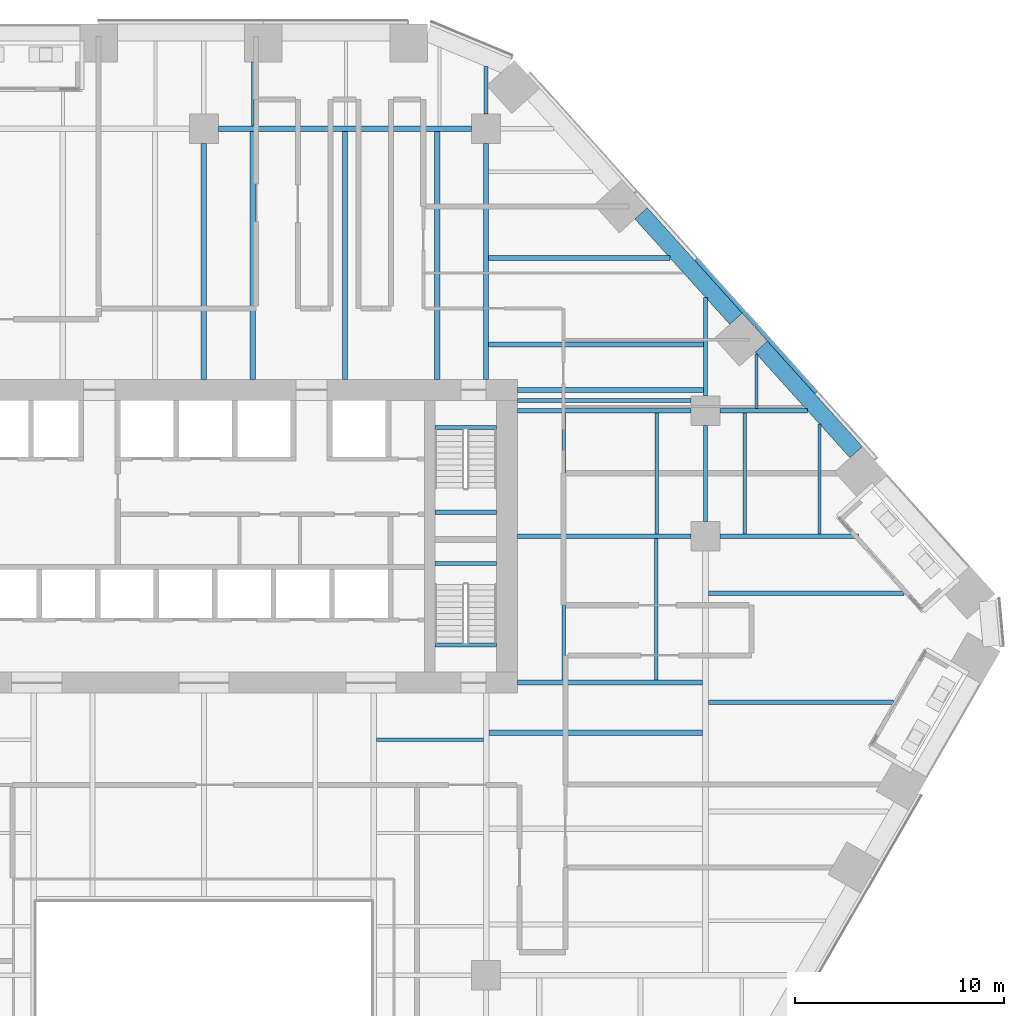
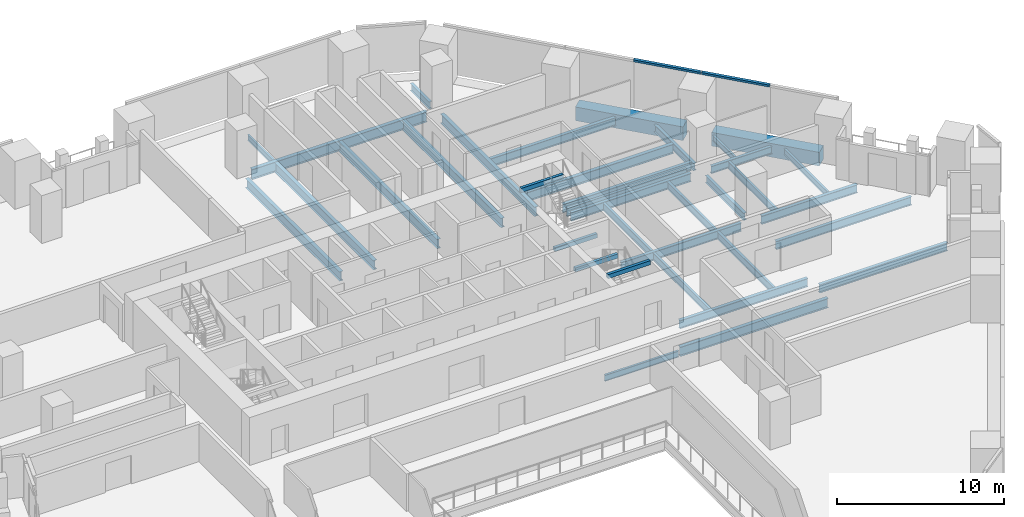
# One storey, part 11 of 31: 36 beams, 2 members, 1 element without a shape of its own.
"""IFC4 building model written with IfcOpenShell, lengths in metres."""

from ifc_helpers import new_model, si_unit, direction, frame, origin, origin_2d, place, context, subcontext, project, spatial, rectangle, i_section, extrude, material, layer, layer_set, material_profile, profile_set, type_object, element, aggregate, save


model = new_model("IFC4")

# Units and contexts
model_context = context("Model", 3, precision=1e-05, world=origin(), true_north=direction((0.0, 1.0)))
body_context = subcontext(model_context, "Body", "Model", "MODEL_VIEW")
ifc_project = project(units=[si_unit("LENGTHUNIT", "METRE"), si_unit("AREAUNIT", "SQUARE_METRE"), si_unit("VOLUMEUNIT", "CUBIC_METRE"), si_unit("PLANEANGLEUNIT", "RADIAN"), si_unit("MASSUNIT", "GRAM", prefix="KILO")], contexts=[model_context])

# Site, building, storey
site_placement = place(None, origin())
site = spatial("IfcSite", under=ifc_project, at=site_placement, CompositionType="ELEMENT")
building_placement = place(site_placement, origin())
building = spatial("IfcBuilding", under=site, at=building_placement, Name="Isthmus Gate Tower", CompositionType="ELEMENT")
storey_placement = place(building_placement, frame((0.0, 0.0, 54.25)))
storey = spatial("IfcBuildingStorey", under=building, at=storey_placement, Name="L11", CompositionType="ELEMENT", Elevation=54.25)

# Curtain wall, members
ifc_material_1 = material(Name="Aluminium, pale champagne anodised", Category="aluminium")
ifc_layer = layer(ifc_material_1, 0.199951171875)
ifc_layer_set = layer_set([ifc_layer], Name="CW-1 UNITISED CURTAIN WALL 200 DEEP")
curtain_wall_type = type_object("IfcCurtainWallType", Name="CW-1 UNITISED CURTAIN WALL 200 DEEP", PredefinedType="NOTDEFINED", material=ifc_layer_set)
curtain_wall_placement = place(storey_placement, origin())
curtain_wall = element("IfcCurtainWall", 1, at=curtain_wall_placement, inside=storey, type_object=curtain_wall_type, Name="CW-1 NE L11", PredefinedType="NOTDEFINED")
ifc_material_2 = material(Name="Aluminium, pale champagne anodised", Category="aluminium")
ifc_material_profile_1 = material_profile(ifc_material_2, rectangle(XDim=0.199951171875, YDim=0.14990234375, at=origin_2d()), Name="200x150")
ifc_profile_set_1 = profile_set([ifc_material_profile_1], Name="Aluminium, pale champagne anodised")
member_type = type_object("IfcMemberType", Name="CW-1 TRANSOM 200 X 150", PredefinedType="USERDEFINED", material=ifc_profile_set_1)
member_1_placement = place(storey_placement, frame((29.307861328125, 14.3779296875, 3.574951171875), z_axis=(-0.6690997736, 0.74317258626, 0.0), x_axis=(-0.74317258626, -0.6690997736, 0.0)))
member_1 = element("IfcMember", 2, at=member_1_placement, type_object=member_type, Name="CW-1 transom", ObjectType="TRANSOM", PredefinedType="USERDEFINED", context=body_context, shape_type="SweptSolid", body=[
    extrude(rectangle(XDim=0.199951171875, YDim=0.14990234375, at=origin_2d()), origin(), (0.0, 0.0, 1.0), 4.294677734375),
])
member_2_placement = place(storey_placement, frame((26.39404296875, 17.614013671875, 3.574951171875), z_axis=(-0.669123979474, 0.743150792298, 0.0), x_axis=(-0.743150792298, -0.669123979474, 0.0)))
member_2 = element("IfcMember", 3, at=member_2_placement, type_object=member_type, Name="CW-1 transom", ObjectType="TRANSOM", PredefinedType="USERDEFINED", context=body_context, shape_type="SweptSolid", body=[
    extrude(rectangle(XDim=0.199951171875, YDim=0.14990234375, at=origin_2d()), origin(), (0.0, 0.0, 1.0), 4.234619140625),
])
aggregate(curtain_wall, [member_1, member_2])

# Beams
ifc_material_3 = material(Name="Concrete f'c 70 MPa", Category="concrete")
ifc_material_profile_2 = material_profile(ifc_material_3, rectangle(XDim=0.800048828125, YDim=1.0, at=origin_2d()), Name="RC 800X1000")
ifc_profile_set_2 = profile_set([ifc_material_profile_2], Name="Concrete f'c 70 MPa")
beam_type_1 = type_object("IfcBeamType", Name="RC SPANDREL 800 X 1000", PredefinedType="SPANDREL", material=ifc_profile_set_2)
beam_1_placement = place(storey_placement, frame((20.91748046875, 22.94921875, -0.5), z_axis=(0.669135571547, -0.743140354772, 0.0), x_axis=(0.743140354772, 0.669135571547, 0.0)))
element("IfcBeam", 4, at=beam_1_placement, inside=storey, type_object=beam_type_1, Name="str-spandrel-L11-02", PredefinedType="SPANDREL", context=body_context, shape_type="SweptSolid", body=[
    extrude(rectangle(XDim=0.800048828125, YDim=1.0, at=origin_2d()), origin(), (0.0, 0.0, 1.0), 6.789306640625),
])
beam_2_placement = place(storey_placement, frame((26.664794921875, 16.566162109375, -0.5), z_axis=(0.669117690519, -0.743156454748, 0.0), x_axis=(0.743156454748, 0.669117690519, 0.0)))
element("IfcBeam", 5, at=beam_2_placement, inside=storey, type_object=beam_type_1, Name="str-spandrel-L11-03", PredefinedType="SPANDREL", context=body_context, shape_type="SweptSolid", body=[
    extrude(rectangle(XDim=0.800048828125, YDim=1.0, at=origin_2d()), origin(), (0.0, 0.0, 1.0), 6.78955078125),
])
ifc_material_4 = material(Name="Concrete f'c 40 MPa", Category="concrete")
ifc_material_profile_3 = material_profile(ifc_material_4, rectangle(XDim=0.199951171875, YDim=0.300048828125, at=origin_2d()), Name="STAIR LANDING BEAM RC 200 X 300")
ifc_profile_set_3 = profile_set([ifc_material_profile_3], Name="Concrete f'c 40 MPa")
beam_type_2 = type_object("IfcBeamType", Name="STAIR LANDING BEAM RC 200 X 300", PredefinedType="BEAM", material=ifc_profile_set_3)
for number, where, z_axis, x_axis, name in (
    (6, (11.050048828125, 8.64990234375, 1.47509765625), (1.0, 0.0, 0.0), (0.0, 1.0, 0.0), "L11 ST2 landing beam 1"),
    (7, (11.050048828125, 12.7001953125, 3.35009765625), (1.0, 0.0, 0.0), (0.0, 1.0, 0.0), "L11 ST2 floor-edge seat beam"),
    (8, (11.050048828125, 6.199951171875, 1.47509765625), (1.0, 0.0, 0.0), (0.0, 1.0, 0.0), "L11 ST8 landing beam 1"),
    (9, (11.050048828125, 2.2998046875, 3.35009765625), (1.0, 0.0, 0.0), (0.0, 1.0, 0.0), "L11 ST8 floor-edge seat beam"),
):
    element("IfcBeam", number, at=place(storey_placement, frame(where, z_axis=z_axis, x_axis=x_axis)), inside=storey, type_object=beam_type_2, Name=name, PredefinedType="BEAM", context=body_context, shape_type="SweptSolid", body=[
        extrude(rectangle(XDim=0.199951171875, YDim=0.300048828125, at=origin_2d()), origin(), (0.0, 0.0, 1.0), 2.949951171875),
    ])
ifc_material_5 = material(Name="Structural steel ASTM A992 Gr 50", Category="steel")
ifc_material_profile_4 = material_profile(ifc_material_5, i_section(OverallWidth=0.1396484375, OverallDepth=0.4033203125, WebThickness=0.00634765625, FlangeThickness=0.010986328125, at=origin_2d()), Name="W16X31")
ifc_profile_set_4 = profile_set([ifc_material_profile_4], Name="Structural steel ASTM A992 Gr 50")
beam_type_3 = type_object("IfcBeamType", Name="STEEL FLOOR BEAM W16X31", PredefinedType="JOIST", material=ifc_profile_set_4)
beam_3_placement = place(storey_placement, frame((2.33740234375, 27.1318359375, -0.3515625), z_axis=(0.0, 1.0, 0.0), x_axis=(-1.0, 0.0, 0.0)))
element("IfcBeam", 10, at=beam_3_placement, inside=storey, type_object=beam_type_3, Name="str-beam-L11-22-00", PredefinedType="JOIST", context=body_context, shape_type="SweptSolid", body=[
    extrude(i_section(OverallWidth=0.1396484375, OverallDepth=0.4033203125, WebThickness=0.00634765625, FlangeThickness=0.010986328125, at=origin_2d()), origin(), (0.0, 0.0, 1.0), 3.068115234375),
])
beam_4_placement = place(storey_placement, frame((26.448974609375, 13.604736328125, -0.3515625), z_axis=(0.0, 1.0, 0.0), x_axis=(-1.0, 0.0, 0.0)))
element("IfcBeam", 11, at=beam_4_placement, inside=storey, type_object=beam_type_3, Name="str-beam-L11-36-00", PredefinedType="JOIST", context=body_context, shape_type="SweptSolid", body=[
    extrude(i_section(OverallWidth=0.1396484375, OverallDepth=0.4033203125, WebThickness=0.00634765625, FlangeThickness=0.010986328125, at=origin_2d()), origin(), (0.0, 0.0, 1.0), 2.603515625),
])
ifc_material_6 = material(Name="Structural steel ASTM A992 Gr 50", Category="steel")
ifc_material_profile_5 = material_profile(ifc_material_6, i_section(OverallWidth=0.15234375, OverallDepth=0.45068359375, WebThickness=0.0078125, FlangeThickness=0.010986328125, at=origin_2d()), Name="W18X35")
ifc_profile_set_5 = profile_set([ifc_material_profile_5], Name="Structural steel ASTM A992 Gr 50")
beam_type_4 = type_object("IfcBeamType", Name="STEEL FLOOR BEAM W18X35", PredefinedType="JOIST", material=ifc_profile_set_5)
beam_5_placement = place(storey_placement, frame((8.263427734375, -2.232421875, -0.37548828125), z_axis=(1.0, 0.0, 0.0), x_axis=(0.0, 1.0, 0.0)))
element("IfcBeam", 12, at=beam_5_placement, inside=storey, type_object=beam_type_4, Name="str-beam-L11-26-02", PredefinedType="JOIST", context=body_context, shape_type="SweptSolid", body=[
    extrude(i_section(OverallWidth=0.15234375, OverallDepth=0.45068359375, WebThickness=0.0078125, FlangeThickness=0.010986328125, at=origin_2d()), origin(), (0.0, 0.0, 1.0), 5.104736328125),
])
beam_6_placement = place(storey_placement, frame((29.449951171875, 7.6142578125, -0.37548828125), z_axis=(0.0, 1.0, 0.0), x_axis=(-1.0, 0.0, 0.0)))
element("IfcBeam", 13, at=beam_6_placement, inside=storey, type_object=beam_type_4, Name="str-beam-L11-37-01", PredefinedType="JOIST", context=body_context, shape_type="SweptSolid", body=[
    extrude(i_section(OverallWidth=0.15234375, OverallDepth=0.45068359375, WebThickness=0.0078125, FlangeThickness=0.010986328125, at=origin_2d()), origin(), (0.0, 0.0, 1.0), 5.260986328125),
])
ifc_material_7 = material(Name="Structural steel ASTM A992 Gr 50", Category="steel")
ifc_material_profile_6 = material_profile(ifc_material_7, i_section(OverallWidth=0.1650390625, OverallDepth=0.52392578125, WebThickness=0.009521484375, FlangeThickness=0.010986328125, at=origin_2d()), Name="W21X44")
ifc_profile_set_6 = profile_set([ifc_material_profile_6], Name="Structural steel ASTM A992 Gr 50")
beam_type_5 = type_object("IfcBeamType", Name="STEEL FLOOR BEAM W21X44", PredefinedType="JOIST", material=ifc_profile_set_6)
for number, where, z_axis, x_axis, name in (
    (14, (17.223876953125, 7.6142578125, -0.411865234375), (0.0, 1.0, 0.0), (-1.0, 0.0, 0.0), "str-beam-L11-34-00"),
    (15, (21.67138671875, 7.6142578125, -0.411865234375), (0.0, 1.0, 0.0), (-1.0, 0.0, 0.0), "str-beam-L11-34-01"),
):
    element("IfcBeam", number, at=place(storey_placement, frame(where, z_axis=z_axis, x_axis=x_axis)), inside=storey, type_object=beam_type_5, Name=name, PredefinedType="JOIST", context=body_context, shape_type="SweptSolid", body=[
        extrude(i_section(OverallWidth=0.1650390625, OverallDepth=0.52392578125, WebThickness=0.009521484375, FlangeThickness=0.010986328125, at=origin_2d()), origin(), (0.0, 0.0, 1.0), 5.771484375),
    ])
for number, where, z_axis, x_axis, name in (
    (16, (17.216552734375, 0.6142578125, -0.411865234375), (0.0, 1.0, 0.0), (-1.0, 0.0, 0.0), "str-beam-L11-35-00"),
    (17, (21.64990234375, 0.6142578125, -0.411865234375), (0.0, 1.0, 0.0), (-1.0, 0.0, 0.0), "str-beam-L11-35-01"),
):
    element("IfcBeam", number, at=place(storey_placement, frame(where, z_axis=z_axis, x_axis=x_axis)), inside=storey, type_object=beam_type_5, Name=name, PredefinedType="JOIST", context=body_context, shape_type="SweptSolid", body=[
        extrude(i_section(OverallWidth=0.1650390625, OverallDepth=0.52392578125, WebThickness=0.009521484375, FlangeThickness=0.010986328125, at=origin_2d()), origin(), (0.0, 0.0, 1.0), 6.771484375),
    ])
beam_7_placement = place(storey_placement, frame((25.886474609375, 7.6142578125, -0.411865234375), z_axis=(0.0, 1.0, 0.0), x_axis=(-1.0, 0.0, 0.0)))
element("IfcBeam", 18, at=beam_7_placement, inside=storey, type_object=beam_type_5, Name="str-beam-L11-37-00", PredefinedType="JOIST", context=body_context, shape_type="SweptSolid", body=[
    extrude(i_section(OverallWidth=0.1650390625, OverallDepth=0.52392578125, WebThickness=0.009521484375, FlangeThickness=0.010986328125, at=origin_2d()), origin(), (0.0, 0.0, 1.0), 5.781005859375),
])
ifc_material_8 = material(Name="Structural steel ASTM A992 Gr 50", Category="steel")
ifc_material_profile_7 = material_profile(ifc_material_8, i_section(OverallWidth=0.177734375, OverallDepth=0.60009765625, WebThickness=0.009521484375, FlangeThickness=0.0126953125, at=origin_2d()), Name="W24X55")
ifc_profile_set_7 = profile_set([ifc_material_profile_7], Name="Structural steel ASTM A992 Gr 50")
beam_type_6 = type_object("IfcBeamType", Name="STEEL FLOOR BEAM W24X55", PredefinedType="JOIST", material=ifc_profile_set_7)
beam_8_placement = place(storey_placement, frame((15.0, 14.0, -0.449951171875), z_axis=(1.0, 0.0, 0.0), x_axis=(0.0, 1.0, 0.0)))
element("IfcBeam", 19, at=beam_8_placement, inside=storey, type_object=beam_type_6, Name="str-beam-L11-32-00", PredefinedType="JOIST", context=body_context, shape_type="SweptSolid", body=[
    extrude(i_section(OverallWidth=0.177734375, OverallDepth=0.60009765625, WebThickness=0.009521484375, FlangeThickness=0.0126953125, at=origin_2d()), origin(), (0.0, 0.0, 1.0), 8.300048828125),
])
ifc_material_9 = material(Name="Structural steel ASTM A992 Gr 50", Category="steel")
ifc_material_profile_8 = material_profile(ifc_material_9, i_section(OverallWidth=0.228515625, OverallDepth=0.603271484375, WebThickness=0.010986328125, FlangeThickness=0.014404296875, at=origin_2d()), Name="W24X68")
ifc_profile_set_8 = profile_set([ifc_material_profile_8], Name="Structural steel ASTM A992 Gr 50")
beam_type_7 = type_object("IfcBeamType", Name="STEEL FLOOR BEAM W24X68", PredefinedType="JOIST", material=ifc_profile_set_8)
beam_9_placement = place(storey_placement, frame((13.626953125, 20.80712890625, -0.45166015625), z_axis=(1.0, 0.0, 0.0), x_axis=(0.0, 1.0, 0.0)))
element("IfcBeam", 20, at=beam_9_placement, inside=storey, type_object=beam_type_7, Name="str-beam-L11-30-01", PredefinedType="JOIST", context=body_context, shape_type="SweptSolid", body=[
    extrude(i_section(OverallWidth=0.228515625, OverallDepth=0.603271484375, WebThickness=0.010986328125, FlangeThickness=0.014404296875, at=origin_2d()), origin(), (0.0, 0.0, 1.0), 8.680908203125),
])
beam_10_placement = place(storey_placement, frame((24.13330078125, -0.446533203125, -0.45166015625), z_axis=(1.0, 0.0, 0.0), x_axis=(0.0, 1.0, 0.0)))
element("IfcBeam", 21, at=beam_10_placement, inside=storey, type_object=beam_type_7, Name="str-beam-L11-38-02", PredefinedType="JOIST", context=body_context, shape_type="SweptSolid", body=[
    extrude(i_section(OverallWidth=0.228515625, OverallDepth=0.603271484375, WebThickness=0.010986328125, FlangeThickness=0.014404296875, at=origin_2d()), origin(), (0.0, 0.0, 1.0), 8.853271484375),
])
beam_11_placement = place(storey_placement, frame((24.13330078125, 4.77490234375, -0.45166015625), z_axis=(1.0, 0.0, 0.0), x_axis=(0.0, 1.0, 0.0)))
element("IfcBeam", 22, at=beam_11_placement, inside=storey, type_object=beam_type_7, Name="str-beam-L11-38-03", PredefinedType="JOIST", context=body_context, shape_type="SweptSolid", body=[
    extrude(i_section(OverallWidth=0.228515625, OverallDepth=0.603271484375, WebThickness=0.010986328125, FlangeThickness=0.014404296875, at=origin_2d()), origin(), (0.0, 0.0, 1.0), 9.36767578125),
])
ifc_material_10 = material(Name="Structural steel ASTM A992 Gr 50", Category="steel")
ifc_material_profile_9 = material_profile(ifc_material_10, i_section(OverallWidth=0.25390625, OverallDepth=0.679443359375, WebThickness=0.010986328125, FlangeThickness=0.015869140625, at=origin_2d()), Name="W27X84")
ifc_profile_set_9 = profile_set([ifc_material_profile_9], Name="Structural steel ASTM A992 Gr 50")
beam_type_8 = type_object("IfcBeamType", Name="STEEL FLOOR BEAM W27X84", PredefinedType="JOIST", material=ifc_profile_set_9)
for number, where, z_axis, x_axis, name in (
    (23, (2.334716796875, 15.0, -0.48974609375), (0.0, 1.0, 0.0), (-1.0, 0.0, 0.0), "str-beam-L11-23-00"),
    (24, (6.75, 15.0, -0.48974609375), (0.0, 1.0, 0.0), (-1.0, 0.0, 0.0), "str-beam-L11-23-01"),
    (25, (11.165283203125, 15.0, -0.48974609375), (0.0, 1.0, 0.0), (-1.0, 0.0, 0.0), "str-beam-L11-23-02"),
):
    element("IfcBeam", number, at=place(storey_placement, frame(where, z_axis=z_axis, x_axis=x_axis)), inside=storey, type_object=beam_type_8, Name=name, PredefinedType="JOIST", context=body_context, shape_type="SweptSolid", body=[
        extrude(i_section(OverallWidth=0.25390625, OverallDepth=0.679443359375, WebThickness=0.010986328125, FlangeThickness=0.015869140625, at=origin_2d()), origin(), (0.0, 0.0, 1.0), 11.8681640625),
    ])
beam_12_placement = place(storey_placement, frame((13.626953125, 16.678466796875, -0.48974609375), z_axis=(1.0, 0.0, 0.0), x_axis=(0.0, 1.0, 0.0)))
element("IfcBeam", 26, at=beam_12_placement, inside=storey, type_object=beam_type_8, Name="str-beam-L11-30-00", PredefinedType="JOIST", context=body_context, shape_type="SweptSolid", body=[
    extrude(i_section(OverallWidth=0.25390625, OverallDepth=0.679443359375, WebThickness=0.010986328125, FlangeThickness=0.015869140625, at=origin_2d()), origin(), (0.0, 0.0, 1.0), 10.268310546875),
])
beam_13_placement = place(storey_placement, frame((13.6318359375, -1.90625, -0.48974609375), z_axis=(1.0, 0.0, 0.0), x_axis=(0.0, 1.0, 0.0)))
element("IfcBeam", 27, at=beam_13_placement, inside=storey, type_object=beam_type_8, Name="str-beam-L11-31-02", PredefinedType="JOIST", context=body_context, shape_type="SweptSolid", body=[
    extrude(i_section(OverallWidth=0.25390625, OverallDepth=0.679443359375, WebThickness=0.010986328125, FlangeThickness=0.015869140625, at=origin_2d()), origin(), (0.0, 0.0, 1.0), 10.23486328125),
])
ifc_material_11 = material(Name="Structural steel ASTM A992 Gr 50", Category="steel")
ifc_material_profile_10 = material_profile(ifc_material_11, i_section(OverallWidth=0.20947265625, OverallDepth=0.533447265625, WebThickness=0.009521484375, FlangeThickness=0.015869140625, at=origin_2d()), Name="W21X62")
ifc_profile_set_10 = profile_set([ifc_material_profile_10], Name="Structural steel ASTM A992 Gr 50")
beam_type_9 = type_object("IfcBeamType", Name="STEEL GIRDER W21X62", PredefinedType="BEAM", material=ifc_profile_set_10)
beam_14_placement = place(storey_placement, frame((24.699951171875, 13.5, -0.416748046875), z_axis=(1.0, 0.0, 0.0), x_axis=(0.0, 1.0, 0.0)))
element("IfcBeam", 28, at=beam_14_placement, inside=storey, type_object=beam_type_9, Name="str-girder-L11-15", PredefinedType="BEAM", context=body_context, shape_type="SweptSolid", body=[
    extrude(i_section(OverallWidth=0.20947265625, OverallDepth=0.533447265625, WebThickness=0.009521484375, FlangeThickness=0.015869140625, at=origin_2d()), origin(), (0.0, 0.0, 1.0), 4.187255859375),
])
beam_15_placement = place(storey_placement, frame((13.5, 27.699951171875, -0.416748046875), z_axis=(0.0, 1.0, 0.0), x_axis=(-1.0, 0.0, 0.0)))
element("IfcBeam", 29, at=beam_15_placement, inside=storey, type_object=beam_type_9, Name="str-girder-L11-34", PredefinedType="BEAM", context=body_context, shape_type="SweptSolid", body=[
    extrude(i_section(OverallWidth=0.20947265625, OverallDepth=0.533447265625, WebThickness=0.009521484375, FlangeThickness=0.015869140625, at=origin_2d()), origin(), (0.0, 0.0, 1.0), 2.27001953125),
])
beam_16_placement = place(storey_placement, frame((24.0, 8.199951171875, -0.416748046875), z_axis=(0.0, 1.0, 0.0), x_axis=(-1.0, 0.0, 0.0)))
element("IfcBeam", 30, at=beam_16_placement, inside=storey, type_object=beam_type_9, Name="str-girder-L11-36", PredefinedType="BEAM", context=body_context, shape_type="SweptSolid", body=[
    extrude(i_section(OverallWidth=0.20947265625, OverallDepth=0.533447265625, WebThickness=0.009521484375, FlangeThickness=0.015869140625, at=origin_2d()), origin(), (0.0, 0.0, 1.0), 4.60009765625),
])
beam_17_placement = place(storey_placement, frame((24.0, 14.199951171875, -0.416748046875), z_axis=(0.0, 1.0, 0.0), x_axis=(-1.0, 0.0, 0.0)))
element("IfcBeam", 31, at=beam_17_placement, inside=storey, type_object=beam_type_9, Name="str-girder-L11-37", PredefinedType="BEAM", context=body_context, shape_type="SweptSolid", body=[
    extrude(i_section(OverallWidth=0.20947265625, OverallDepth=0.533447265625, WebThickness=0.009521484375, FlangeThickness=0.015869140625, at=origin_2d()), origin(), (0.0, 0.0, 1.0), 4.72802734375),
])
ifc_material_12 = material(Name="Structural steel ASTM A992 Gr 50", Category="steel")
ifc_material_profile_11 = material_profile(ifc_material_12, i_section(OverallWidth=0.228515625, OverallDepth=0.603271484375, WebThickness=0.010986328125, FlangeThickness=0.014404296875, at=origin_2d()), Name="W24X68")
ifc_profile_set_11 = profile_set([ifc_material_profile_11], Name="Structural steel ASTM A992 Gr 50")
beam_type_10 = type_object("IfcBeamType", Name="STEEL GIRDER W24X68", PredefinedType="BEAM", material=ifc_profile_set_11)
beam_18_placement = place(storey_placement, frame((24.699951171875, 7.5, -0.45166015625), z_axis=(1.0, 0.0, 0.0), x_axis=(0.0, 1.0, 0.0)))
element("IfcBeam", 32, at=beam_18_placement, inside=storey, type_object=beam_type_10, Name="str-girder-L11-12", PredefinedType="BEAM", context=body_context, shape_type="SweptSolid", body=[
    extrude(i_section(OverallWidth=0.228515625, OverallDepth=0.603271484375, WebThickness=0.010986328125, FlangeThickness=0.014404296875, at=origin_2d()), origin(), (0.0, 0.0, 1.0), 6.62939453125),
])
ifc_material_13 = material(Name="Structural steel ASTM A992 Gr 50", Category="steel")
ifc_material_profile_12 = material_profile(ifc_material_13, i_section(OverallWidth=0.228515625, OverallDepth=0.6064453125, WebThickness=0.010986328125, FlangeThickness=0.017578125, at=origin_2d()), Name="W24X76")
ifc_profile_set_12 = profile_set([ifc_material_profile_12], Name="Structural steel ASTM A992 Gr 50")
beam_type_11 = type_object("IfcBeamType", Name="STEEL GIRDER W24X76", PredefinedType="BEAM", material=ifc_profile_set_12)
for number, where, z_axis, x_axis, name in (
    (33, (15.0, 7.5, -0.453125), (1.0, 0.0, 0.0), (0.0, 1.0, 0.0), "str-girder-L11-11"),
    (34, (15.0, 13.5, -0.453125), (1.0, 0.0, 0.0), (0.0, 1.0, 0.0), "str-girder-L11-14"),
):
    element("IfcBeam", number, at=place(storey_placement, frame(where, z_axis=z_axis, x_axis=x_axis)), inside=storey, type_object=beam_type_11, Name=name, PredefinedType="BEAM", context=body_context, shape_type="SweptSolid", body=[
        extrude(i_section(OverallWidth=0.228515625, OverallDepth=0.6064453125, WebThickness=0.010986328125, FlangeThickness=0.017578125, at=origin_2d()), origin(), (0.0, 0.0, 1.0), 8.300048828125),
    ])
beam_19_placement = place(storey_placement, frame((15.0, 0.5, -0.453125), z_axis=(1.0, 0.0, 0.0), x_axis=(0.0, 1.0, 0.0)))
element("IfcBeam", 35, at=beam_19_placement, inside=storey, type_object=beam_type_11, Name="str-girder-L11-39", PredefinedType="BEAM", context=body_context, shape_type="SweptSolid", body=[
    extrude(i_section(OverallWidth=0.228515625, OverallDepth=0.6064453125, WebThickness=0.010986328125, FlangeThickness=0.017578125, at=origin_2d()), origin(), (0.0, 0.0, 1.0), 8.86669921875),
])
beam_20_placement = place(storey_placement, frame((15.0, 14.5, -0.453125), z_axis=(1.0, 0.0, 0.0), x_axis=(0.0, 1.0, 0.0)))
element("IfcBeam", 36, at=beam_20_placement, inside=storey, type_object=beam_type_11, Name="str-girder-L11-41", PredefinedType="BEAM", context=body_context, shape_type="SweptSolid", body=[
    extrude(i_section(OverallWidth=0.228515625, OverallDepth=0.6064453125, WebThickness=0.010986328125, FlangeThickness=0.017578125, at=origin_2d()), origin(), (0.0, 0.0, 1.0), 8.895263671875),
])
ifc_material_14 = material(Name="Structural steel ASTM A992 Gr 50", Category="steel")
ifc_material_profile_13 = material_profile(ifc_material_14, i_section(OverallWidth=0.25390625, OverallDepth=0.679443359375, WebThickness=0.010986328125, FlangeThickness=0.015869140625, at=origin_2d()), Name="W27X84")
ifc_profile_set_13 = profile_set([ifc_material_profile_13], Name="Structural steel ASTM A992 Gr 50")
beam_type_12 = type_object("IfcBeamType", Name="STEEL GIRDER W27X84", PredefinedType="BEAM", material=ifc_profile_set_13)
for number, where, z_axis, x_axis, name in (
    (37, (0.0, 15.0, -0.48974609375), (0.0, 1.0, 0.0), (-1.0, 0.0, 0.0), "str-girder-L11-29"),
    (38, (13.5, 15.0, -0.48974609375), (0.0, 1.0, 0.0), (-1.0, 0.0, 0.0), "str-girder-L11-33"),
):
    element("IfcBeam", number, at=place(storey_placement, frame(where, z_axis=z_axis, x_axis=x_axis)), inside=storey, type_object=beam_type_12, Name=name, PredefinedType="BEAM", context=body_context, shape_type="SweptSolid", body=[
        extrude(i_section(OverallWidth=0.25390625, OverallDepth=0.679443359375, WebThickness=0.010986328125, FlangeThickness=0.015869140625, at=origin_2d()), origin(), (0.0, 0.0, 1.0), 11.300048828125),
    ])
ifc_material_15 = material(Name="Structural steel ASTM A992 Gr 50", Category="steel")
ifc_material_profile_14 = material_profile(ifc_material_15, i_section(OverallWidth=0.263427734375, OverallDepth=0.749267578125, WebThickness=0.0126953125, FlangeThickness=0.015869140625, at=origin_2d()), Name="W30X90")
ifc_profile_set_14 = profile_set([ifc_material_profile_14], Name="Structural steel ASTM A992 Gr 50")
beam_type_13 = type_object("IfcBeamType", Name="STEEL GIRDER W30X90", PredefinedType="BEAM", material=ifc_profile_set_14)
beam_21_placement = place(storey_placement, frame((0.699951171875, 27.0, -0.524658203125), z_axis=(1.0, 0.0, 0.0), x_axis=(0.0, 1.0, 0.0)))
element("IfcBeam", 39, at=beam_21_placement, inside=storey, type_object=beam_type_13, Name="str-girder-L11-18", PredefinedType="BEAM", context=body_context, shape_type="SweptSolid", body=[
    extrude(i_section(OverallWidth=0.263427734375, OverallDepth=0.749267578125, WebThickness=0.0126953125, FlangeThickness=0.015869140625, at=origin_2d()), origin(), (0.0, 0.0, 1.0), 12.10009765625),
])

save(model, "model.ifc")
